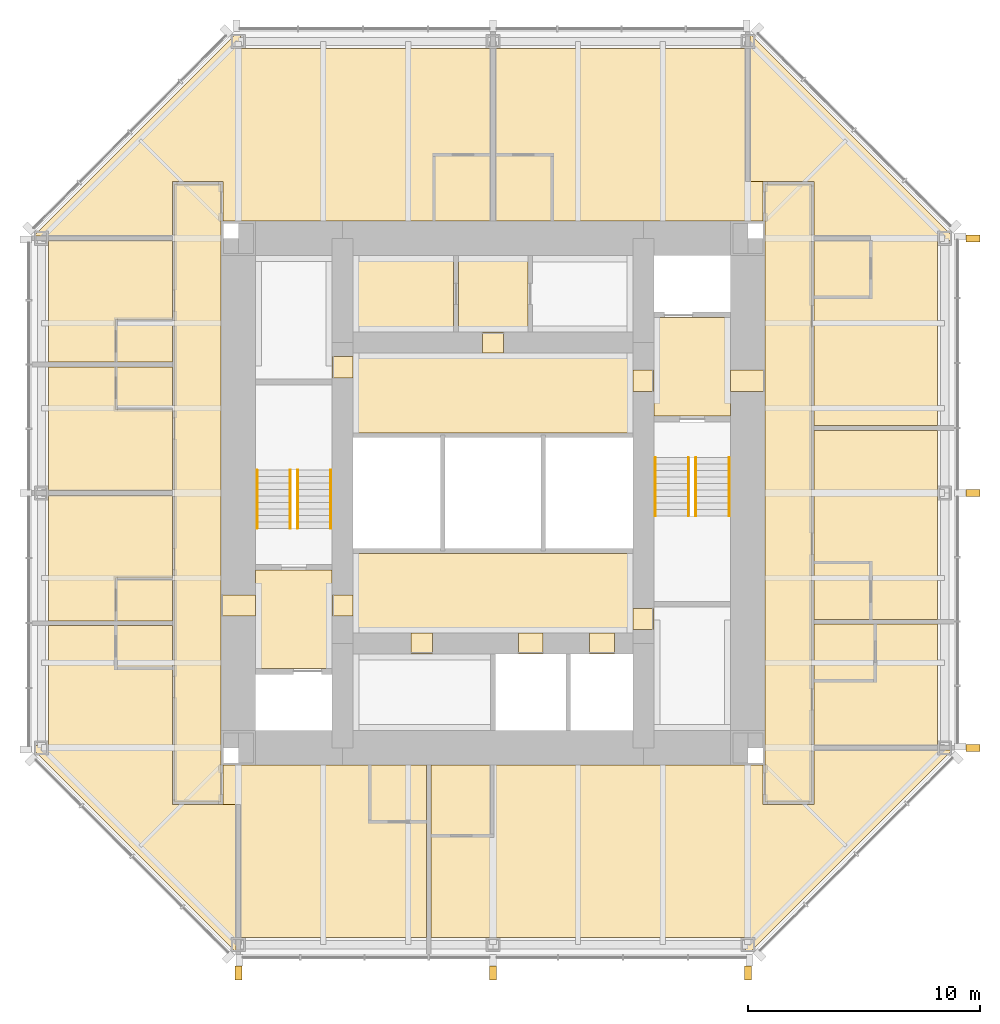
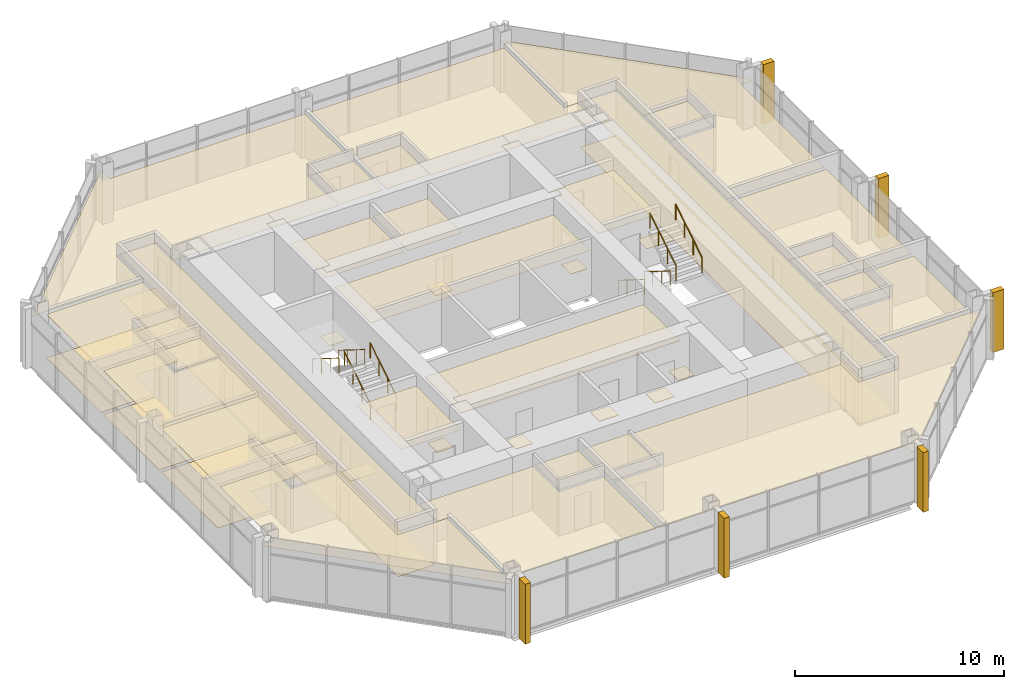
# One storey, part 11 of 11: 51 coverings, 8 railings.
"""IFC4 building model written with IfcOpenShell, lengths in metres."""

from ifc_helpers import new_model, si_unit, direction, frame, origin, origin_2d, place, context, subcontext, project, spatial, polyline, rectangle, circle, outline, extrude, material, layer, layer_set, type_object, element, save


model = new_model("IFC4")

# Units and contexts
model_context = context("Model", 3, precision=1e-05, world=origin(), true_north=direction((0.0, 1.0)))
body_context = subcontext(model_context, "Body", "Model", "MODEL_VIEW")
ifc_project = project(units=[si_unit("LENGTHUNIT", "METRE"), si_unit("AREAUNIT", "SQUARE_METRE"), si_unit("VOLUMEUNIT", "CUBIC_METRE"), si_unit("PLANEANGLEUNIT", "RADIAN"), si_unit("MASSUNIT", "GRAM", prefix="KILO")], contexts=[model_context])

# Site, building, storey
site_placement = place(None, origin())
site = spatial("IfcSite", under=ifc_project, at=site_placement, CompositionType="ELEMENT")
building_placement = place(site_placement, origin())
building = spatial("IfcBuilding", under=site, at=building_placement, Name="Trevanion Tower", CompositionType="ELEMENT")
storey_placement = place(building_placement, frame((0.0, 0.0, 229.199951171875)))
storey = spatial("IfcBuildingStorey", under=building, at=storey_placement, Name="L55", CompositionType="ELEMENT", Elevation=229.199951171875)

# Coverings
ifc_material_1 = material(Name="Fibrous plaster coffers on suspended steel grid", Category="steel")
ifc_layer_1 = layer(ifc_material_1, 0.050048828125)
ifc_layer_set_1 = layer_set([ifc_layer_1], Name="CL1 coffered fibrous plaster ceiling 50")
covering_type_1 = type_object("IfcCoveringType", Name="CL1 coffered fibrous plaster ceiling 50", PredefinedType="CEILING", material=ifc_layer_set_1)
covering_1_placement = place(storey_placement, frame((0.0, 0.0, 2.429931640625)))
element("IfcCovering", 1, at=covering_1_placement, inside=storey, type_object=covering_type_1, Name="CL1 L55-LBS", PredefinedType="CEILING", context=body_context, shape_type="SweptSolid", body=[
    extrude(outline(polyline([(6.050048828125, -6.050048828125), (6.050048828125, -2.60009765625), (-6.050048828125, -2.60009765625), (-6.050048828125, -6.050048828125), (6.050048828125, -6.050048828125)])), origin(), (0.0, 0.0, 1.0), 0.050048828125),
])
ifc_material_2 = material(Name="Mineral fibre acoustic tiles in exposed grid", Category="mineral fibre")
ifc_layer_2 = layer(ifc_material_2, 0.02001953125)
ifc_layer_set_2 = layer_set([ifc_layer_2], Name="CL2 acoustic tile ceiling 20")
covering_type_2 = type_object("IfcCoveringType", Name="CL2 acoustic tile ceiling 20", PredefinedType="CEILING", material=ifc_layer_set_2)
covering_2_placement = place(storey_placement, frame((0.0, 0.0, 2.4599609375)))
element("IfcCovering", 2, at=covering_2_placement, inside=storey, type_object=covering_type_2, Name="CL2 L55-LBN", PredefinedType="CEILING", context=body_context, shape_type="SweptSolid", body=[
    extrude(outline(polyline([(6.050048828125, 2.60009765625), (6.050048828125, 6.050048828125), (-6.050048828125, 6.050048828125), (-6.050048828125, 2.60009765625), (6.050048828125, 2.60009765625)])), origin(), (0.0, 0.0, 1.0), 0.02001953125),
])
covering_3_placement = place(storey_placement, frame((0.0, 0.0, 2.4599609375)))
element("IfcCovering", 3, at=covering_3_placement, inside=storey, type_object=covering_type_2, Name="CL2 L55-HKC", PredefinedType="CEILING", context=body_context, shape_type="SweptSolid", body=[
    extrude(outline(polyline([(1.5, 6.949951171875), (1.5, 10.25), (-1.5, 10.25), (-1.5, 6.949951171875), (1.5, 6.949951171875)])), origin(), (0.0, 0.0, 1.0), 0.02001953125),
])
covering_4_placement = place(storey_placement, frame((0.0, 0.0, 2.633056640625)))
element("IfcCovering", 4, at=covering_4_placement, inside=storey, type_object=covering_type_2, Name="CL2 L55-CO1", PredefinedType="CEILING", context=body_context, shape_type="SweptSolid", body=[
    extrude(outline(polyline([(-11.75, 13.35009765625), (-11.75, -13.35009765625), (-13.75, -13.35009765625), (-13.75, 13.35009765625), (-11.75, 13.35009765625)])), origin(), (0.0, 0.0, 1.0), 0.02001953125),
])
covering_5_placement = place(storey_placement, frame((0.0, 0.0, 2.633056640625)))
element("IfcCovering", 5, at=covering_5_placement, inside=storey, type_object=covering_type_2, Name="CL2 L55-CO2", PredefinedType="CEILING", context=body_context, shape_type="SweptSolid", body=[
    extrude(outline(polyline([(11.75, -13.35009765625), (11.75, 13.35009765625), (13.75, 13.35009765625), (13.75, -13.35009765625), (11.75, -13.35009765625)])), origin(), (0.0, 0.0, 1.0), 0.02001953125),
])
ifc_material_3 = material(Name="Gypsum plasterboard on suspended metal furring", Category="gypsum")
ifc_layer_3 = layer(ifc_material_3, 0.012939453125)
ifc_layer_set_3 = layer_set([ifc_layer_3], Name="CL3 plasterboard ceiling 13")
covering_type_3 = type_object("IfcCoveringType", Name="CL3 plasterboard ceiling 13", PredefinedType="CEILING", material=ifc_layer_set_3)
covering_6_placement = place(storey_placement, frame((0.0, 0.0, 2.699951171875)))
element("IfcCovering", 6, at=covering_6_placement, inside=storey, type_object=covering_type_3, Name="CL3 L55-FV1", PredefinedType="CEILING", context=body_context, shape_type="SweptSolid", body=[
    extrude(outline(polyline([(10.25, 3.324951171875), (10.25, 7.574951171875), (6.949951171875, 7.574951171875), (6.949951171875, 3.324951171875), (10.25, 3.324951171875)])), origin(), (0.0, 0.0, 1.0), 0.01318359375),
])
covering_7_placement = place(storey_placement, frame((0.0, 0.0, 2.699951171875)))
element("IfcCovering", 7, at=covering_7_placement, inside=storey, type_object=covering_type_3, Name="CL3 L55-FV2", PredefinedType="CEILING", context=body_context, shape_type="SweptSolid", body=[
    extrude(outline(polyline([(-10.25, -3.324951171875), (-10.25, -7.574951171875), (-6.949951171875, -7.574951171875), (-6.949951171875, -3.324951171875), (-10.25, -3.324951171875)])), origin(), (0.0, 0.0, 1.0), 0.01318359375),
])
covering_8_placement = place(storey_placement, frame((0.0, 0.0, 2.551025390625)))
element("IfcCovering", 8, at=covering_8_placement, inside=storey, type_object=covering_type_3, Name="CL3 L55-GA", PredefinedType="CEILING", context=body_context, shape_type="SweptSolid", body=[
    extrude(outline(polyline([(13.85009765625, -8.09912109375), (16.5, -8.09912109375), (16.5, -5.64892578125), (19.199951171875, -5.64892578125), (19.199951171875, -10.89990234375), (13.85009765625, -10.89990234375), (13.85009765625, -8.09912109375)])), origin(), (0.0, 0.0, 1.0), 0.012939453125),
])
covering_9_placement = place(storey_placement, frame((0.0, 0.0, 2.551025390625)))
element("IfcCovering", 9, at=covering_9_placement, inside=storey, type_object=covering_type_3, Name="CL3 L55-GJ", PredefinedType="CEILING", context=body_context, shape_type="SweptSolid", body=[
    extrude(outline(polyline([(13.85009765625, 2.70703125), (19.199951171875, 2.70703125), (19.199951171875, -5.448974609375), (16.300048828125, -5.448974609375), (16.300048828125, -2.9990234375), (13.85009765625, -2.9990234375), (13.85009765625, 2.70703125)])), origin(), (0.0, 0.0, 1.0), 0.012939453125),
])
covering_10_placement = place(storey_placement, frame((0.0, 0.0, 2.551025390625)))
element("IfcCovering", 10, at=covering_10_placement, inside=storey, type_object=covering_type_3, Name="CL3 L55-GJ2", PredefinedType="CEILING", context=body_context, shape_type="SweptSolid", body=[
    extrude(outline(polyline([(11.10009765625, 13.449951171875), (11.10009765625, 19.800048828125), (11.124267578125, 19.800048828125), (19.800048828125, 11.124267578125), (19.800048828125, 10.89990234375), (19.199951171875, 10.89990234375), (19.199951171875, 2.906982421875), (13.85009765625, 2.906982421875), (13.85009765625, 8.449951171875), (16.300048828125, 8.449951171875), (16.300048828125, 10.949951171875), (13.85009765625, 10.949951171875), (13.85009765625, 13.449951171875), (11.10009765625, 13.449951171875)])), origin(), (0.0, 0.0, 1.0), 0.012939453125),
])
covering_11_placement = place(storey_placement, frame((0.0, 0.0, 2.551025390625)))
element("IfcCovering", 11, at=covering_11_placement, inside=storey, type_object=covering_type_3, Name="CL3 L55-GB", PredefinedType="CEILING", context=body_context, shape_type="SweptSolid", body=[
    extrude(outline(polyline([(0.10009765625, 19.199951171875), (10.89990234375, 19.199951171875), (10.89990234375, 13.449951171875), (11.64990234375, 13.449951171875), (11.64990234375, 11.75), (2.550048828125, 11.75), (2.550048828125, 14.60009765625), (0.10009765625, 14.60009765625), (0.10009765625, 19.199951171875)])), origin(), (0.0, 0.0, 1.0), 0.012939453125),
])
covering_12_placement = place(storey_placement, frame((0.0, 0.0, 2.551025390625)))
element("IfcCovering", 12, at=covering_12_placement, inside=storey, type_object=covering_type_3, Name="CL3 L55-GB2", PredefinedType="CEILING", context=body_context, shape_type="SweptSolid", body=[
    extrude(outline(polyline([(-13.85009765625, 11.10009765625), (-19.800048828125, 11.10009765625), (-19.800048828125, 11.124267578125), (-11.124267578125, 19.800048828125), (-10.89990234375, 19.800048828125), (-10.89990234375, 19.199951171875), (-0.10009765625, 19.199951171875), (-0.10009765625, 14.60009765625), (-2.550048828125, 14.60009765625), (-2.550048828125, 11.75), (-11.64990234375, 11.75), (-11.64990234375, 13.449951171875), (-13.85009765625, 13.449951171875), (-13.85009765625, 11.10009765625)])), origin(), (0.0, 0.0, 1.0), 0.012939453125),
])
covering_13_placement = place(storey_placement, frame((0.0, 0.0, 2.551025390625)))
element("IfcCovering", 13, at=covering_13_placement, inside=storey, type_object=covering_type_3, Name="CL3 L55-GR", PredefinedType="CEILING", context=body_context, shape_type="SweptSolid", body=[
    extrude(outline(polyline([(-13.85009765625, 7.4990234375), (-16.300048828125, 7.4990234375), (-16.300048828125, 5.64892578125), (-19.199951171875, 5.64892578125), (-19.199951171875, 10.89990234375), (-13.85009765625, 10.89990234375), (-13.85009765625, 7.4990234375)])), origin(), (0.0, 0.0, 1.0), 0.012939453125),
])
covering_14_placement = place(storey_placement, frame((0.0, 0.0, 2.551025390625)))
element("IfcCovering", 14, at=covering_14_placement, inside=storey, type_object=covering_type_3, Name="CL3 L55-GR2", PredefinedType="CEILING", context=body_context, shape_type="SweptSolid", body=[
    extrude(outline(polyline([(-13.85009765625, 0.10009765625), (-19.199951171875, 0.10009765625), (-19.199951171875, 5.448974609375), (-16.300048828125, 5.448974609375), (-16.300048828125, 3.59912109375), (-13.85009765625, 3.59912109375), (-13.85009765625, 0.10009765625)])), origin(), (0.0, 0.0, 1.0), 0.012939453125),
])
covering_15_placement = place(storey_placement, frame((0.0, 0.0, 2.551025390625)))
element("IfcCovering", 15, at=covering_15_placement, inside=storey, type_object=covering_type_3, Name="CL3 L55-GR3", PredefinedType="CEILING", context=body_context, shape_type="SweptSolid", body=[
    extrude(outline(polyline([(-13.85009765625, -3.6640625), (-16.300048828125, -3.6640625), (-16.300048828125, -5.513916015625), (-19.199951171875, -5.513916015625), (-19.199951171875, -0.10009765625), (-13.85009765625, -0.10009765625), (-13.85009765625, -3.6640625)])), origin(), (0.0, 0.0, 1.0), 0.012939453125),
])
covering_16_placement = place(storey_placement, frame((0.0, 0.0, 2.551025390625)))
element("IfcCovering", 16, at=covering_16_placement, inside=storey, type_object=covering_type_3, Name="CL3 L55-GR4", PredefinedType="CEILING", context=body_context, shape_type="SweptSolid", body=[
    extrude(outline(polyline([(-11.10009765625, -13.449951171875), (-11.10009765625, -19.800048828125), (-11.124267578125, -19.800048828125), (-19.800048828125, -11.124267578125), (-19.800048828125, -10.89990234375), (-19.199951171875, -10.89990234375), (-19.199951171875, -5.714111328125), (-16.300048828125, -5.714111328125), (-16.300048828125, -7.56396484375), (-13.85009765625, -7.56396484375), (-13.85009765625, -13.449951171875), (-11.10009765625, -13.449951171875)])), origin(), (0.0, 0.0, 1.0), 0.012939453125),
])
covering_17_placement = place(storey_placement, frame((0.0, 0.0, 2.551025390625)))
element("IfcCovering", 17, at=covering_17_placement, inside=storey, type_object=covering_type_3, Name="CL3 L55-GJ3", PredefinedType="CEILING", context=body_context, shape_type="SweptSolid", body=[
    extrude(outline(polyline([(-2.875, -19.199951171875), (-10.89990234375, -19.199951171875), (-10.89990234375, -13.449951171875), (-11.64990234375, -13.449951171875), (-11.64990234375, -11.75), (-5.324951171875, -11.75), (-5.324951171875, -14.199951171875), (-2.875, -14.199951171875), (-2.875, -19.199951171875)])), origin(), (0.0, 0.0, 1.0), 0.012939453125),
])
covering_18_placement = place(storey_placement, frame((0.0, 0.0, 2.551025390625)))
element("IfcCovering", 18, at=covering_18_placement, inside=storey, type_object=covering_type_3, Name="CL3 L55-GY", PredefinedType="CEILING", context=body_context, shape_type="SweptSolid", body=[
    extrude(outline(polyline([(13.85009765625, -11.10009765625), (19.800048828125, -11.10009765625), (19.800048828125, -11.124267578125), (11.124267578125, -19.800048828125), (10.89990234375, -19.800048828125), (10.89990234375, -19.199951171875), (-2.675048828125, -19.199951171875), (-2.675048828125, -14.800048828125), (-0.02490234375, -14.800048828125), (-0.02490234375, -11.75), (11.64990234375, -11.75), (11.64990234375, -13.449951171875), (13.85009765625, -13.449951171875), (13.85009765625, -11.10009765625)])), origin(), (0.0, 0.0, 1.0), 0.012939453125),
])
ifc_material_4 = material(Name="Moisture-resistant gypsum board on suspended metal furring", Category="gypsum")
ifc_layer_4 = layer(ifc_material_4, 0.01611328125)
ifc_layer_set_4 = layer_set([ifc_layer_4], Name="CL4 moisture-resistant board ceiling 16")
covering_type_4 = type_object("IfcCoveringType", Name="CL4 moisture-resistant board ceiling 16", PredefinedType="CEILING", material=ifc_layer_set_4)
covering_19_placement = place(storey_placement, frame((0.0, 0.0, 2.464111328125)))
element("IfcCovering", 19, at=covering_19_placement, inside=storey, type_object=covering_type_4, Name="CL4 L55-HK", PredefinedType="CEILING", context=body_context, shape_type="SweptSolid", body=[
    extrude(outline(polyline([(-1.699951171875, 6.949951171875), (-1.699951171875, 10.25), (-6.050048828125, 10.25), (-6.050048828125, 6.949951171875), (-1.699951171875, 6.949951171875)])), origin(), (0.0, 0.0, 1.0), 0.015869140625),
])
covering_20_placement = place(storey_placement, frame((0.0, 0.0, 2.60009765625)))
element("IfcCovering", 20, at=covering_20_placement, inside=storey, type_object=covering_type_4, Name="CL4 L55-EN", PredefinedType="CEILING", context=body_context, shape_type="SweptSolid", body=[
    extrude(outline(polyline([(16.449951171875, -8.049072265625), (16.449951171875, -5.64892578125), (13.85009765625, -5.64892578125), (13.85009765625, -8.049072265625), (16.449951171875, -8.049072265625)])), origin(), (0.0, 0.0, 1.0), 0.015869140625),
])
covering_21_placement = place(storey_placement, frame((0.0, 0.0, 2.60009765625)))
element("IfcCovering", 21, at=covering_21_placement, inside=storey, type_object=covering_type_4, Name="CL4 L55-EN2", PredefinedType="CEILING", context=body_context, shape_type="SweptSolid", body=[
    extrude(outline(polyline([(16.25, -5.448974609375), (16.25, -3.049072265625), (13.85009765625, -3.049072265625), (13.85009765625, -5.448974609375), (16.25, -5.448974609375)])), origin(), (0.0, 0.0, 1.0), 0.015869140625),
])
covering_22_placement = place(storey_placement, frame((0.0, 0.0, 2.60009765625)))
element("IfcCovering", 22, at=covering_22_placement, inside=storey, type_object=covering_type_4, Name="CL4 L55-EN3", PredefinedType="CEILING", context=body_context, shape_type="SweptSolid", body=[
    extrude(outline(polyline([(16.25, 8.5), (16.25, 10.89990234375), (13.85009765625, 10.89990234375), (13.85009765625, 8.5), (16.25, 8.5)])), origin(), (0.0, 0.0, 1.0), 0.015869140625),
])
covering_23_placement = place(storey_placement, frame((0.0, 0.0, 2.60009765625)))
element("IfcCovering", 23, at=covering_23_placement, inside=storey, type_object=covering_type_4, Name="CL4 L55-EN4", PredefinedType="CEILING", context=body_context, shape_type="SweptSolid", body=[
    extrude(outline(polyline([(2.5, 14.550048828125), (0.10009765625, 14.550048828125), (0.10009765625, 11.75), (2.5, 11.75), (2.5, 14.550048828125)])), origin(), (0.0, 0.0, 1.0), 0.015869140625),
])
covering_24_placement = place(storey_placement, frame((0.0, 0.0, 2.60009765625)))
element("IfcCovering", 24, at=covering_24_placement, inside=storey, type_object=covering_type_4, Name="CL4 L55-EN5", PredefinedType="CEILING", context=body_context, shape_type="SweptSolid", body=[
    extrude(outline(polyline([(-0.10009765625, 14.550048828125), (-2.5, 14.550048828125), (-2.5, 11.75), (-0.10009765625, 11.75), (-0.10009765625, 14.550048828125)])), origin(), (0.0, 0.0, 1.0), 0.015869140625),
])
covering_25_placement = place(storey_placement, frame((0.0, 0.0, 2.60009765625)))
element("IfcCovering", 25, at=covering_25_placement, inside=storey, type_object=covering_type_4, Name="CL4 L55-EN6", PredefinedType="CEILING", context=body_context, shape_type="SweptSolid", body=[
    extrude(outline(polyline([(-16.25, 7.448974609375), (-16.25, 5.64892578125), (-13.85009765625, 5.64892578125), (-13.85009765625, 7.448974609375), (-16.25, 7.448974609375)])), origin(), (0.0, 0.0, 1.0), 0.015869140625),
])
covering_26_placement = place(storey_placement, frame((0.0, 0.0, 2.60009765625)))
element("IfcCovering", 26, at=covering_26_placement, inside=storey, type_object=covering_type_4, Name="CL4 L55-EN7", PredefinedType="CEILING", context=body_context, shape_type="SweptSolid", body=[
    extrude(outline(polyline([(-16.25, 5.448974609375), (-16.25, 3.64892578125), (-13.85009765625, 3.64892578125), (-13.85009765625, 5.448974609375), (-16.25, 5.448974609375)])), origin(), (0.0, 0.0, 1.0), 0.015869140625),
])
covering_27_placement = place(storey_placement, frame((0.0, 0.0, 2.60009765625)))
element("IfcCovering", 27, at=covering_27_placement, inside=storey, type_object=covering_type_4, Name="CL4 L55-EN8", PredefinedType="CEILING", context=body_context, shape_type="SweptSolid", body=[
    extrude(outline(polyline([(-16.25, -3.714111328125), (-16.25, -5.513916015625), (-13.85009765625, -5.513916015625), (-13.85009765625, -3.714111328125), (-16.25, -3.714111328125)])), origin(), (0.0, 0.0, 1.0), 0.015869140625),
])
covering_28_placement = place(storey_placement, frame((0.0, 0.0, 2.60009765625)))
element("IfcCovering", 28, at=covering_28_placement, inside=storey, type_object=covering_type_4, Name="CL4 L55-EN9", PredefinedType="CEILING", context=body_context, shape_type="SweptSolid", body=[
    extrude(outline(polyline([(-16.25, -5.714111328125), (-16.25, -7.513916015625), (-13.85009765625, -7.513916015625), (-13.85009765625, -5.714111328125), (-16.25, -5.714111328125)])), origin(), (0.0, 0.0, 1.0), 0.015869140625),
])
covering_29_placement = place(storey_placement, frame((0.0, 0.0, 2.60009765625)))
element("IfcCovering", 29, at=covering_29_placement, inside=storey, type_object=covering_type_4, Name="CL4 L55-EN10", PredefinedType="CEILING", context=body_context, shape_type="SweptSolid", body=[
    extrude(outline(polyline([(-5.27490234375, -14.14990234375), (-2.875, -14.14990234375), (-2.875, -11.75), (-5.27490234375, -11.75), (-5.27490234375, -14.14990234375)])), origin(), (0.0, 0.0, 1.0), 0.015869140625),
])
covering_30_placement = place(storey_placement, frame((0.0, 0.0, 2.60009765625)))
element("IfcCovering", 30, at=covering_30_placement, inside=storey, type_object=covering_type_4, Name="CL4 L55-EN11", PredefinedType="CEILING", context=body_context, shape_type="SweptSolid", body=[
    extrude(outline(polyline([(-2.675048828125, -14.75), (-0.074951171875, -14.75), (-0.074951171875, -11.75), (-2.675048828125, -11.75), (-2.675048828125, -14.75)])), origin(), (0.0, 0.0, 1.0), 0.015869140625),
])
ifc_material_5 = material(Name="Cast bronze fin on aluminium carrier", Category="aluminium")
covering_type_5 = type_object("IfcCoveringType", Name="F1 bronze fin", PredefinedType="CLADDING", material=ifc_material_5)
for number, where, z_axis, x_axis, name in (
    (31, (20.72509765625, -11.0, -0.18994140625), (0.0, 0.0, 1.0), (0.0, 1.0, 0.0), "F1 L55 east -11.0"),
    (32, (20.72509765625, 0.0, -0.18994140625), (0.0, 0.0, 1.0), (0.0, 1.0, 0.0), "F1 L55 east +0.0"),
    (33, (20.72509765625, 11.0, -0.18994140625), (0.0, 0.0, 1.0), (0.0, 1.0, 0.0), "F1 L55 east +11.0"),
    (34, (-11.0, -20.72509765625, -0.18994140625), (0.0, 0.0, 1.0), (1.0, 0.0, 0.0), "F1 L55 south -11.0"),
    (35, (0.0, -20.72509765625, -0.18994140625), (0.0, 0.0, 1.0), (1.0, 0.0, 0.0), "F1 L55 south +0.0"),
    (36, (11.0, -20.72509765625, -0.18994140625), (0.0, 0.0, 1.0), (1.0, 0.0, 0.0), "F1 L55 south +11.0"),
):
    element("IfcCovering", number, at=place(storey_placement, frame(where, z_axis=z_axis, x_axis=x_axis)), inside=storey, type_object=covering_type_5, Name=name, PredefinedType="CLADDING", context=body_context, shape_type="SweptSolid", body=[
        extrude(rectangle(XDim=0.300048828125, YDim=0.60009765625, at=origin_2d()), origin(), (0.0, 0.0, 1.0), 3.5),
    ])
ifc_material_6 = material(Name="Terrazzo, brass divider strips", Category="stone")
ifc_layer_5 = layer(ifc_material_6, 0.02001953125)
ifc_layer_set_5 = layer_set([ifc_layer_5], Name="FF1 terrazzo flooring")
covering_type_6 = type_object("IfcCoveringType", Name="FF1 terrazzo flooring", PredefinedType="FLOORING", material=ifc_layer_set_5)
covering_31_placement = place(storey_placement, origin())
element("IfcCovering", 37, at=covering_31_placement, inside=storey, type_object=covering_type_6, Name="FF1 threshold 55-001", PredefinedType="FLOORING", context=body_context, shape_type="SweptSolid", body=[
    extrude(outline(polyline([(11.75, 4.392578125), (11.75, 5.3076171875), (10.25, 5.3076171875), (10.25, 4.392578125), (11.75, 4.392578125)])), origin(), (0.0, 0.0, 1.0), 0.02001953125),
])
covering_32_placement = place(storey_placement, origin())
element("IfcCovering", 38, at=covering_32_placement, inside=storey, type_object=covering_type_6, Name="FF1 threshold 55-002", PredefinedType="FLOORING", context=body_context, shape_type="SweptSolid", body=[
    extrude(outline(polyline([(-11.75, -4.392578125), (-11.75, -5.3076171875), (-10.25, -5.3076171875), (-10.25, -4.392578125), (-11.75, -4.392578125)])), origin(), (0.0, 0.0, 1.0), 0.02001953125),
])
covering_33_placement = place(storey_placement, origin())
element("IfcCovering", 39, at=covering_33_placement, inside=storey, type_object=covering_type_6, Name="FF1 threshold 55-003", PredefinedType="FLOORING", context=body_context, shape_type="SweptSolid", body=[
    extrude(outline(polyline([(6.949951171875, 4.392578125), (6.949951171875, 5.3076171875), (6.050048828125, 5.3076171875), (6.050048828125, 4.392578125), (6.949951171875, 4.392578125)])), origin(), (0.0, 0.0, 1.0), 0.02001953125),
])
covering_34_placement = place(storey_placement, origin())
element("IfcCovering", 40, at=covering_34_placement, inside=storey, type_object=covering_type_6, Name="FF1 threshold 55-004", PredefinedType="FLOORING", context=body_context, shape_type="SweptSolid", body=[
    extrude(outline(polyline([(-6.949951171875, -4.392578125), (-6.949951171875, -5.3076171875), (-6.050048828125, -5.3076171875), (-6.050048828125, -4.392578125), (-6.949951171875, -4.392578125)])), origin(), (0.0, 0.0, 1.0), 0.02001953125),
])
covering_35_placement = place(storey_placement, origin())
element("IfcCovering", 41, at=covering_35_placement, inside=storey, type_object=covering_type_6, Name="FF1 threshold 55-009", PredefinedType="FLOORING", context=body_context, shape_type="SweptSolid", body=[
    extrude(outline(polyline([(6.949951171875, -5.889892578125), (6.949951171875, -4.97509765625), (6.050048828125, -4.97509765625), (6.050048828125, -5.889892578125), (6.949951171875, -5.889892578125)])), origin(), (0.0, 0.0, 1.0), 0.02001953125),
])
covering_36_placement = place(storey_placement, origin())
element("IfcCovering", 42, at=covering_36_placement, inside=storey, type_object=covering_type_6, Name="FF1 threshold 55-010", PredefinedType="FLOORING", context=body_context, shape_type="SweptSolid", body=[
    extrude(outline(polyline([(-6.949951171875, 5.889892578125), (-6.949951171875, 4.97509765625), (-6.050048828125, 4.97509765625), (-6.050048828125, 5.889892578125), (-6.949951171875, 5.889892578125)])), origin(), (0.0, 0.0, 1.0), 0.02001953125),
])
covering_37_placement = place(storey_placement, origin())
element("IfcCovering", 43, at=covering_37_placement, inside=storey, type_object=covering_type_6, Name="FF1 threshold 55-011", PredefinedType="FLOORING", context=body_context, shape_type="SweptSolid", body=[
    extrude(outline(polyline([(1.091552734375, -6.949951171875), (2.158447265625, -6.949951171875), (2.158447265625, -6.050048828125), (1.091552734375, -6.050048828125), (1.091552734375, -6.949951171875)])), origin(), (0.0, 0.0, 1.0), 0.02001953125),
])
covering_38_placement = place(storey_placement, origin())
element("IfcCovering", 44, at=covering_38_placement, inside=storey, type_object=covering_type_6, Name="FF1 threshold 55-012", PredefinedType="FLOORING", context=body_context, shape_type="SweptSolid", body=[
    extrude(outline(polyline([(4.16650390625, -6.949951171875), (5.2333984375, -6.949951171875), (5.2333984375, -6.050048828125), (4.16650390625, -6.050048828125), (4.16650390625, -6.949951171875)])), origin(), (0.0, 0.0, 1.0), 0.02001953125),
])
covering_39_placement = place(storey_placement, origin())
element("IfcCovering", 45, at=covering_39_placement, inside=storey, type_object=covering_type_6, Name="FF1 threshold 55-013", PredefinedType="FLOORING", context=body_context, shape_type="SweptSolid", body=[
    extrude(outline(polyline([(-3.532470703125, -6.949951171875), (-2.617431640625, -6.949951171875), (-2.617431640625, -6.050048828125), (-3.532470703125, -6.050048828125), (-3.532470703125, -6.949951171875)])), origin(), (0.0, 0.0, 1.0), 0.02001953125),
])
covering_40_placement = place(storey_placement, origin())
element("IfcCovering", 46, at=covering_40_placement, inside=storey, type_object=covering_type_6, Name="FF1 threshold 55-014", PredefinedType="FLOORING", context=body_context, shape_type="SweptSolid", body=[
    extrude(outline(polyline([(0.45751953125, 6.949951171875), (-0.45751953125, 6.949951171875), (-0.45751953125, 6.050048828125), (0.45751953125, 6.050048828125), (0.45751953125, 6.949951171875)])), origin(), (0.0, 0.0, 1.0), 0.02001953125),
])
ifc_material_7 = material(Name="Wool carpet on underlay", Category="textile")
ifc_layer_6 = layer(ifc_material_7, 0.011962890625)
ifc_layer_set_6 = layer_set([ifc_layer_6], Name="FF2 carpet flooring")
covering_type_7 = type_object("IfcCoveringType", Name="FF2 carpet flooring", PredefinedType="FLOORING", material=ifc_layer_set_6)
covering_41_placement = place(storey_placement, origin())
element("IfcCovering", 47, at=covering_41_placement, inside=storey, type_object=covering_type_7, Name="FF2 L55-CO1", PredefinedType="FLOORING", context=body_context, shape_type="SweptSolid", body=[
    extrude(outline(polyline([(-11.75, 13.35009765625), (-11.75, -13.35009765625), (-13.75, -13.35009765625), (-13.75, 13.35009765625), (-11.75, 13.35009765625)])), origin(), (0.0, 0.0, 1.0), 0.011962890625),
])
covering_42_placement = place(storey_placement, origin())
element("IfcCovering", 48, at=covering_42_placement, inside=storey, type_object=covering_type_7, Name="FF2 L55-CO2", PredefinedType="FLOORING", context=body_context, shape_type="SweptSolid", body=[
    extrude(outline(polyline([(11.75, -13.35009765625), (11.75, 13.35009765625), (13.75, 13.35009765625), (13.75, -13.35009765625), (11.75, -13.35009765625)])), origin(), (0.0, 0.0, 1.0), 0.011962890625),
])
covering_43_placement = place(storey_placement, origin())
element("IfcCovering", 49, at=covering_43_placement, inside=storey, type_object=covering_type_7, Name="FF2 L55-GR", PredefinedType="FLOORING", context=body_context, shape_type="SweptSolid", body=[
    extrude(outline(polyline([(-13.85009765625, 7.4990234375), (-16.300048828125, 7.4990234375), (-16.300048828125, 5.64892578125), (-19.199951171875, 5.64892578125), (-19.199951171875, 10.89990234375), (-13.85009765625, 10.89990234375), (-13.85009765625, 7.4990234375)])), origin(), (0.0, 0.0, 1.0), 0.011962890625),
])
covering_44_placement = place(storey_placement, origin())
element("IfcCovering", 50, at=covering_44_placement, inside=storey, type_object=covering_type_7, Name="FF2 L55-GR2", PredefinedType="FLOORING", context=body_context, shape_type="SweptSolid", body=[
    extrude(outline(polyline([(-13.85009765625, 0.10009765625), (-19.199951171875, 0.10009765625), (-19.199951171875, 5.448974609375), (-16.300048828125, 5.448974609375), (-16.300048828125, 3.59912109375), (-13.85009765625, 3.59912109375), (-13.85009765625, 0.10009765625)])), origin(), (0.0, 0.0, 1.0), 0.011962890625),
])
covering_45_placement = place(storey_placement, origin())
element("IfcCovering", 51, at=covering_45_placement, inside=storey, type_object=covering_type_7, Name="FF2 L55-GR3", PredefinedType="FLOORING", context=body_context, shape_type="SweptSolid", body=[
    extrude(outline(polyline([(-13.85009765625, -3.6640625), (-16.300048828125, -3.6640625), (-16.300048828125, -5.513916015625), (-19.199951171875, -5.513916015625), (-19.199951171875, -0.10009765625), (-13.85009765625, -0.10009765625), (-13.85009765625, -3.6640625)])), origin(), (0.0, 0.0, 1.0), 0.011962890625),
])

# Railings
ifc_material_8 = material(Name="Stainless steel tube 40 mm", Category="steel")
railing_type = type_object("IfcRailingType", Name="HR1 handrail", PredefinedType="HANDRAIL", material=ifc_material_8)
for number, where, name in (
    (52, (7.010009765625, 1.52490234375, 0.175048828125), "HR1 ST1 L55 flight 1"),
    (53, (8.43994140625, 1.52490234375, 0.175048828125), "HR1 ST1 L55 flight 1"),
):
    element("IfcRailing", number, at=place(storey_placement, frame(where)), inside=storey, type_object=railing_type, Name=name, PredefinedType="HANDRAIL", context=body_context, shape_type="SweptSolid", body=[
        extrude(circle(Radius=0.02001953125, at=origin_2d()), frame((0.0, 0.0, 0.8798828125), z_axis=(0.0, -0.848007534815, 0.529984170421), x_axis=(1.0, 0.0, 0.0)), (0.0, 0.0, 1.0), 2.9716796875),
        extrude(circle(Radius=0.01513671875, at=origin_2d()), origin(), (0.0, 0.0, 1.0), 0.85986328125),
        extrude(circle(Radius=0.01513671875, at=origin_2d()), frame((0.0, -0.840087890625, 0.52490234375)), (0.0, 0.0, 1.0), 0.85986328125),
        extrude(circle(Radius=0.01513671875, at=origin_2d()), frame((0.0, -1.679931640625, 1.050048828125)), (0.0, 0.0, 1.0), 0.85986328125),
        extrude(circle(Radius=0.01513671875, at=origin_2d()), frame((0.0, -2.52001953125, 1.574951171875)), (0.0, 0.0, 1.0), 0.85986328125),
    ])
for number, where, name in (
    (54, (8.760009765625, -0.9951171875, 1.925048828125), "HR1 ST1 L55 flight 2"),
    (55, (10.18994140625, -0.9951171875, 1.925048828125), "HR1 ST1 L55 flight 2"),
    (56, (-7.010009765625, -1.52490234375, 0.175048828125), "HR1 ST2 L55 flight 1"),
    (57, (-8.43994140625, -1.52490234375, 0.175048828125), "HR1 ST2 L55 flight 1"),
):
    element("IfcRailing", number, at=place(storey_placement, frame(where)), inside=storey, type_object=railing_type, Name=name, PredefinedType="HANDRAIL", context=body_context, shape_type="SweptSolid", body=[
        extrude(circle(Radius=0.02001953125, at=origin_2d()), frame((0.0, 0.0, 0.8798828125), z_axis=(0.0, 0.848007534815, 0.529984170421), x_axis=(-1.0, 0.0, 0.0)), (0.0, 0.0, 1.0), 2.9716796875),
        extrude(circle(Radius=0.01513671875, at=origin_2d()), origin(), (0.0, 0.0, 1.0), 0.85986328125),
        extrude(circle(Radius=0.01513671875, at=origin_2d()), frame((0.0, 0.840087890625, 0.52490234375)), (0.0, 0.0, 1.0), 0.85986328125),
        extrude(circle(Radius=0.01513671875, at=origin_2d()), frame((0.0, 1.679931640625, 1.050048828125)), (0.0, 0.0, 1.0), 0.85986328125),
        extrude(circle(Radius=0.01513671875, at=origin_2d()), frame((0.0, 2.52001953125, 1.574951171875)), (0.0, 0.0, 1.0), 0.85986328125),
    ])
for number, where, name in (
    (58, (-8.760009765625, 0.9951171875, 1.925048828125), "HR1 ST2 L55 flight 2"),
    (59, (-10.18994140625, 0.9951171875, 1.925048828125), "HR1 ST2 L55 flight 2"),
):
    element("IfcRailing", number, at=place(storey_placement, frame(where)), inside=storey, type_object=railing_type, Name=name, PredefinedType="HANDRAIL", context=body_context, shape_type="SweptSolid", body=[
        extrude(circle(Radius=0.02001953125, at=origin_2d()), frame((0.0, 0.0, 0.8798828125), z_axis=(0.0, -0.848007534815, 0.529984170421), x_axis=(1.0, 0.0, 0.0)), (0.0, 0.0, 1.0), 2.9716796875),
        extrude(circle(Radius=0.01513671875, at=origin_2d()), origin(), (0.0, 0.0, 1.0), 0.85986328125),
        extrude(circle(Radius=0.01513671875, at=origin_2d()), frame((0.0, -0.840087890625, 0.52490234375)), (0.0, 0.0, 1.0), 0.85986328125),
        extrude(circle(Radius=0.01513671875, at=origin_2d()), frame((0.0, -1.679931640625, 1.050048828125)), (0.0, 0.0, 1.0), 0.85986328125),
        extrude(circle(Radius=0.01513671875, at=origin_2d()), frame((0.0, -2.52001953125, 1.574951171875)), (0.0, 0.0, 1.0), 0.85986328125),
    ])

save(model, "model.ifc")
